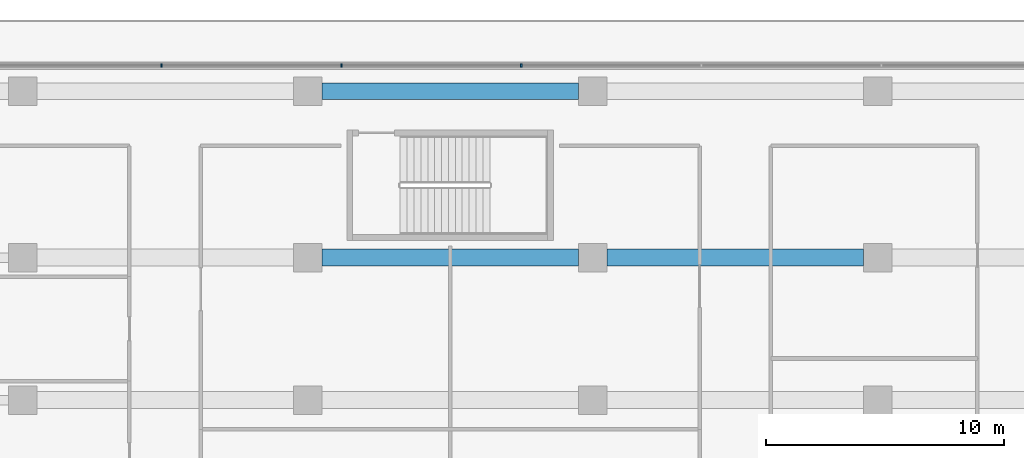
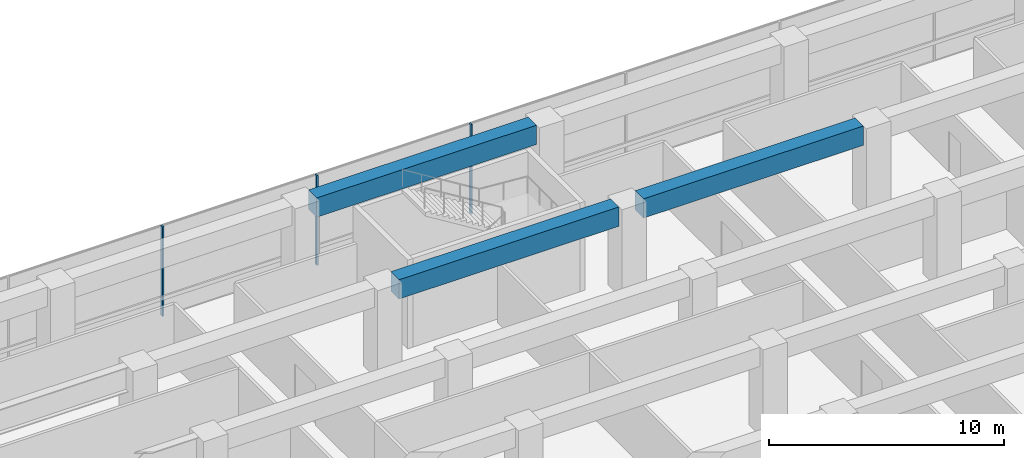
# One storey, part 20 of 40: 3 beams, 3 members, 1 element without a shape of its own.
"""IFC4 building model written with IfcOpenShell, lengths in metres."""

from ifc_helpers import new_model, si_unit, direction, frame, origin, origin_2d, place, context, subcontext, project, spatial, rectangle, extrude, material, layer, layer_set, material_profile, profile_set, type_object, element, aggregate, save


model = new_model("IFC4")

# Units and contexts
model_context = context("Model", 3, precision=1e-05, world=origin(), true_north=direction((0.0, 1.0)))
body_context = subcontext(model_context, "Body", "Model", "MODEL_VIEW")
ifc_project = project(units=[si_unit("LENGTHUNIT", "METRE"), si_unit("AREAUNIT", "SQUARE_METRE"), si_unit("VOLUMEUNIT", "CUBIC_METRE"), si_unit("PLANEANGLEUNIT", "RADIAN"), si_unit("MASSUNIT", "GRAM", prefix="KILO")], contexts=[model_context])

# Site, building, storey
site_placement = place(None, origin())
site = spatial("IfcSite", under=ifc_project, at=site_placement, CompositionType="ELEMENT")
building_placement = place(site_placement, origin())
building = spatial("IfcBuilding", under=site, at=building_placement, Name="Welwitschia Terrace Campus", CompositionType="ELEMENT")
storey_placement = place(building_placement, frame((0.0, 0.0, 6.0)))
storey = spatial("IfcBuildingStorey", under=building, at=storey_placement, Name="L01", CompositionType="ELEMENT", Elevation=6.0)

# Beams
ifc_material_1 = material(Name="Concrete C60/75", Category="concrete")
ifc_material_profile_1 = material_profile(ifc_material_1, rectangle(XDim=0.699951171875, YDim=1.0, at=origin_2d()))
ifc_profile_set_1 = profile_set([ifc_material_profile_1], Name="Concrete C60/75")
beam_type = type_object("IfcBeamType", Name="Base block beam 700x1000", PredefinedType="BEAM", material=ifc_profile_set_1)
for number, where, z_axis, x_axis, name in (
    (1, (36.6005859375, 62.0, 4.10009765625), (1.0, 0.0, 0.0), (0.0, 1.0, 0.0), "Beam BB1"),
    (2, (48.6005859375, 62.0, 4.10009765625), (1.0, 0.0, 0.0), (0.0, 1.0, 0.0), "Beam BB1"),
    (3, (36.6005859375, 69.0, 4.10009765625), (1.0, 0.0, 0.0), (0.0, 1.0, 0.0), "Beam BB1"),
):
    element("IfcBeam", number, at=place(storey_placement, frame(where, z_axis=z_axis, x_axis=x_axis)), inside=storey, type_object=beam_type, Name=name, PredefinedType="BEAM", context=body_context, shape_type="SweptSolid", body=[
        extrude(rectangle(XDim=0.699951171875, YDim=1.0, at=origin_2d()), origin(), (0.0, 0.0, 1.0), 10.798828125),
    ])

# Curtain wall, members
ifc_material_2 = material(Name="Bronze anodised aluminium", Category="aluminium")
ifc_layer = layer(ifc_material_2, 0.14990234375)
ifc_layer_set = layer_set([ifc_layer], Name="Bronze anodised aluminium")
curtain_wall_type = type_object("IfcCurtainWallType", Name="Curtain wall CW1 podium 7500", PredefinedType="NOTDEFINED", material=ifc_layer_set)
curtain_wall_placement = place(storey_placement, origin())
curtain_wall = element("IfcCurtainWall", 4, at=curtain_wall_placement, inside=storey, type_object=curtain_wall_type, Name="CW L01.4.0", PredefinedType="NOTDEFINED")
ifc_material_3 = material(Name="Bronze anodised aluminium", Category="aluminium")
ifc_material_profile_2 = material_profile(ifc_material_3, rectangle(XDim=0.14990234375, YDim=0.080078125, at=origin_2d()))
ifc_profile_set_2 = profile_set([ifc_material_profile_2], Name="Bronze anodised aluminium")
member_type = type_object("IfcMemberType", Name="Mullion 80x150", PredefinedType="MULLION", material=ifc_profile_set_2)
member_1_placement = place(storey_placement, frame((45.0, 70.0849609375, 0.0), z_axis=(0.0, 0.0, 1.0), x_axis=(0.0, -1.0, 0.0)))
member_1 = element("IfcMember", 5, at=member_1_placement, type_object=member_type, Name="Mullion L01.4.0.6", PredefinedType="MULLION", context=body_context, shape_type="SweptSolid", body=[
    extrude(rectangle(XDim=0.14990234375, YDim=0.080078125, at=origin_2d()), origin(), (0.0, 0.0, 1.0), 4.64990234375),
])
member_2_placement = place(storey_placement, frame((37.425048828125, 70.0849609375, 0.0), z_axis=(0.0, 0.0, 1.0), x_axis=(0.0, -1.0, 0.0)))
member_2 = element("IfcMember", 6, at=member_2_placement, type_object=member_type, Name="Mullion L01.4.0.7", PredefinedType="MULLION", context=body_context, shape_type="SweptSolid", body=[
    extrude(rectangle(XDim=0.14990234375, YDim=0.080078125, at=origin_2d()), origin(), (0.0, 0.0, 1.0), 4.64990234375),
])
member_3_placement = place(storey_placement, frame((29.85009765625, 70.0849609375, 0.0), z_axis=(0.0, 0.0, 1.0), x_axis=(0.0, -1.0, 0.0)))
member_3 = element("IfcMember", 7, at=member_3_placement, type_object=member_type, Name="Mullion L01.4.0.8", PredefinedType="MULLION", context=body_context, shape_type="SweptSolid", body=[
    extrude(rectangle(XDim=0.14990234375, YDim=0.080078125, at=origin_2d()), origin(), (0.0, 0.0, 1.0), 4.64990234375),
])
aggregate(curtain_wall, [member_1, member_2, member_3])

save(model, "model.ifc")
